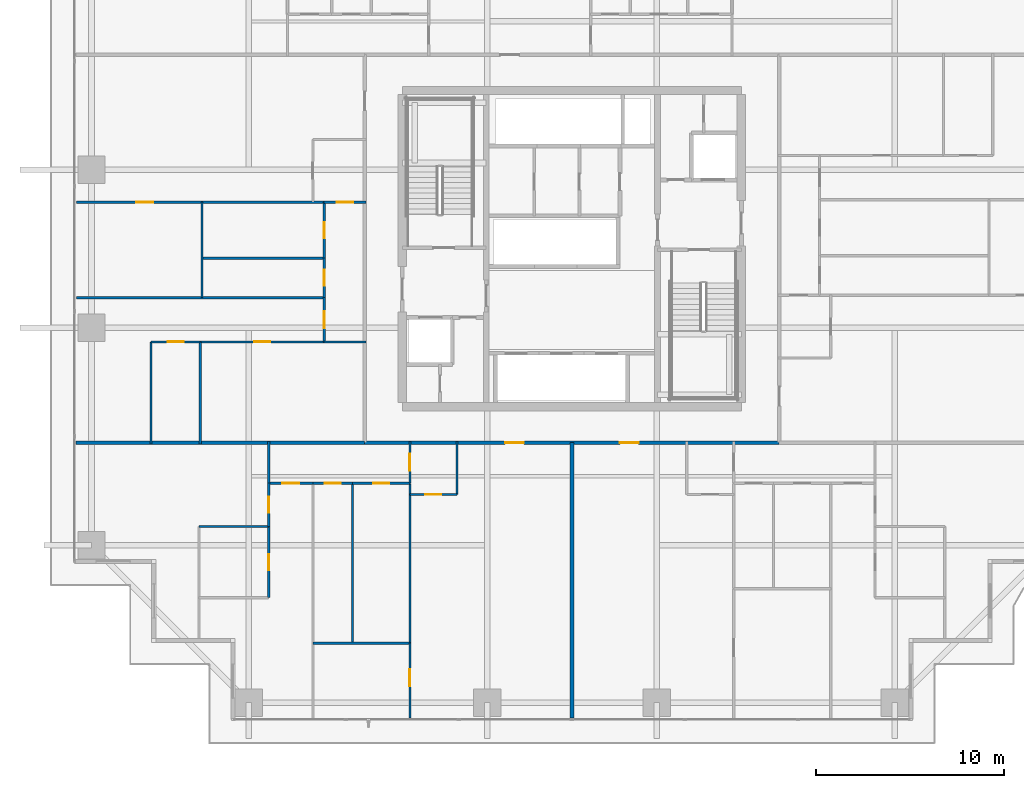
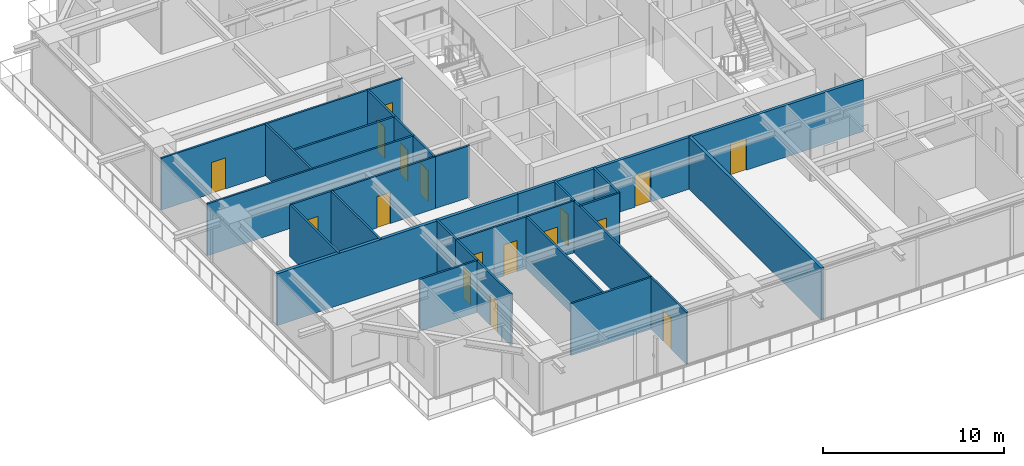
# One storey, part 27 of 39: 31 walls, 17 doors, 17 openings.
"""IFC4 building model written with IfcOpenShell, lengths in metres."""

from ifc_helpers import new_model, si_unit, direction, frame, frame_2d, origin, place, context, subcontext, project, spatial, rectangle, extrude, source, transform, mapped, material, layer, layer_set, type_object, element, fill, save


model = new_model("IFC4")

# Units and contexts
model_context = context("Model", 3, precision=1e-05, world=origin(), true_north=direction((0.0, 1.0)))
body_context = subcontext(model_context, "Body", "Model", "MODEL_VIEW")
ifc_project = project(units=[si_unit("LENGTHUNIT", "METRE"), si_unit("AREAUNIT", "SQUARE_METRE"), si_unit("VOLUMEUNIT", "CUBIC_METRE"), si_unit("PLANEANGLEUNIT", "RADIAN"), si_unit("MASSUNIT", "GRAM", prefix="KILO")], contexts=[model_context])

# Site, building, storey
site_placement = place(None, origin())
site = spatial("IfcSite", under=ifc_project, at=site_placement, CompositionType="ELEMENT")
building_placement = place(site_placement, origin())
building = spatial("IfcBuilding", under=site, at=building_placement, Name="Serunith Strait Residences", CompositionType="ELEMENT")
storey_placement = place(building_placement, frame((0.0, 0.0, 97.949951171875)))
storey = spatial("IfcBuildingStorey", under=building, at=storey_placement, Name="L24", CompositionType="ELEMENT", Elevation=97.949951171875)

# Wall, openings, doors
ifc_material_1 = material(Name="Fire-rated acoustic gypsum partition")
ifc_layer_1 = layer(ifc_material_1, 0.179931640625, Name="Fire-rated acoustic gypsum partition")
ifc_layer_set_1 = layer_set([ifc_layer_1], Name="Fire-rated acoustic gypsum partition")
wall_type_1 = type_object("IfcWallType", Name="IW-CORR-180", PredefinedType="PARTITIONING", material=ifc_layer_set_1)
wall_1_placement = place(storey_placement, frame((21.402099609375, 14.89990234375, 0.0), z_axis=(0.0, 0.0, 1.0), x_axis=(1.0, 0.0, 0.0)))
wall_1 = element("IfcWall", 1, at=wall_1_placement, inside=storey, type_object=wall_type_1, Name="L24 Partition Wall 022", PredefinedType="PARTITIONING", context=body_context, shape_type="SweptSolid", body=[
    extrude(rectangle(XDim=21.995849609375, YDim=0.179931640625, at=frame_2d((10.998046875, 0.0))), origin(), (0.0, 0.0, 1.0), 3.489990234375),
])
opening_1_placement = place(wall_1_placement, frame((7.4541015625, 0.0, 0.0)))
opening_1 = element("IfcOpeningElement", 2, at=opening_1_placement, cuts=wall_1, Name="Opening D-APT1000", PredefinedType="OPENING", context=body_context, shape_type="SweptSolid", body=[
    extrude(rectangle(XDim=1.0, YDim=2.14990234375, at=frame_2d((0.5, 1.074951171875))), frame((0.0, 0.10009765625, 0.0), z_axis=(0.0, -1.0, 0.0), x_axis=(1.0, 0.0, 0.0)), (0.0, 0.0, 1.0), 0.199951171875),
])
opening_2_placement = place(wall_1_placement, frame((13.5419921875, 0.0, 0.0)))
opening_2 = element("IfcOpeningElement", 3, at=opening_2_placement, cuts=wall_1, Name="Opening D-APT1000", PredefinedType="OPENING", context=body_context, shape_type="SweptSolid", body=[
    extrude(rectangle(XDim=1.0, YDim=2.14990234375, at=frame_2d((0.5, 1.074951171875))), frame((0.0, 0.10009765625, 0.0), z_axis=(0.0, -1.0, 0.0), x_axis=(1.0, 0.0, 0.0)), (0.0, 0.0, 1.0), 0.199951171875),
])
ifc_material_2 = material(Name="Solid timber engineered fire door", Category="wood")
door_type_1 = type_object("IfcDoorType", Name="ID-APT-1000", OperationType="NOTDEFINED", PredefinedType="DOOR", material=ifc_material_2)
shared_shape_1 = source(origin(), body_context, "Body", "SweptSolid", [
    extrude(rectangle(XDim=1.0, YDim=2.14990234375, at=frame_2d((0.5, 1.074951171875))), frame((0.0, 0.02490234375, 0.0), z_axis=(0.0, -1.0, 0.0), x_axis=(1.0, 0.0, 0.0)), (0.0, 0.0, 1.0), 0.050048828125),
])
door_1_placement = place(opening_1_placement, origin())
door_1 = element("IfcDoor", 4, at=door_1_placement, inside=storey, type_object=door_type_1, Name="L24 Unit 01 Entrance Door", OperationType="SINGLE_SWING_LEFT", OverallHeight=2.14990234375, OverallWidth=1.0, PredefinedType="DOOR", context=body_context, shape_type="MappedRepresentation", body=[
    mapped(shared_shape_1, transform((0.0, 0.0, 0.0), scale=1.0)),
])
fill(opening_1, door_1)
door_2_placement = place(opening_2_placement, origin())
door_2 = element("IfcDoor", 5, at=door_2_placement, inside=storey, type_object=door_type_1, Name="L24 Unit 02 Entrance Door", OperationType="SINGLE_SWING_RIGHT", OverallHeight=2.14990234375, OverallWidth=1.0, PredefinedType="DOOR", context=body_context, shape_type="MappedRepresentation", body=[
    mapped(shared_shape_1, transform((0.0, 0.0, 0.0), scale=1.0)),
])
fill(opening_2, door_2)

# Wall, opening, door
ifc_material_3 = material(Name="Lightweight steel-stud gypsum partition", Category="steel")
ifc_layer_2 = layer(ifc_material_3, 0.1201171875, Name="Lightweight steel-stud gypsum partition")
ifc_layer_set_2 = layer_set([ifc_layer_2], Name="Lightweight steel-stud gypsum partition")
wall_type_2 = type_object("IfcWallType", Name="IW-PART-120", PredefinedType="PARTITIONING", material=ifc_layer_set_2)
wall_2_placement = place(storey_placement, frame((23.800048828125, 12.14990234375, 0.0), z_axis=(0.0, 0.0, 1.0), x_axis=(1.0, 0.0, 0.0)))
wall_2 = element("IfcWall", 6, at=wall_2_placement, inside=storey, type_object=wall_type_2, Name="L24 Partition Wall 026", PredefinedType="PARTITIONING", context=body_context, shape_type="SweptSolid", body=[
    extrude(rectangle(XDim=2.5, YDim=0.1201171875, at=frame_2d((1.25, 0.0))), origin(), (0.0, 0.0, 1.0), 3.489990234375),
])
opening_3_placement = place(wall_2_placement, frame((0.824951171875, 0.0, 0.0)))
opening_3 = element("IfcOpeningElement", 7, at=opening_3_placement, cuts=wall_2, Name="Opening D-RM850", PredefinedType="OPENING", context=body_context, shape_type="SweptSolid", body=[
    extrude(rectangle(XDim=0.85009765625, YDim=2.10009765625, at=frame_2d((0.425048828125, 1.050048828125))), frame((0.0, 0.070068359375, 0.0), z_axis=(0.0, -1.0, 0.0), x_axis=(1.0, 0.0, 0.0)), (0.0, 0.0, 1.0), 0.14013671875),
])
ifc_material_4 = material(Name="Engineered timber flush study and kitchen door", Category="wood")
door_type_2 = type_object("IfcDoorType", Name="ID-ROOM-850", OperationType="NOTDEFINED", PredefinedType="DOOR", material=ifc_material_4)
shared_shape_2 = source(origin(), body_context, "Body", "SweptSolid", [
    extrude(rectangle(XDim=0.85009765625, YDim=2.10009765625, at=frame_2d((0.425048828125, 1.050048828125))), frame((0.0, 0.02490234375, 0.0), z_axis=(0.0, -1.0, 0.0), x_axis=(1.0, 0.0, 0.0)), (0.0, 0.0, 1.0), 0.050048828125),
])
door_3_placement = place(opening_3_placement, origin())
door_3 = element("IfcDoor", 8, at=door_3_placement, inside=storey, type_object=door_type_2, Name="L24 Kitchen 2401 Door", OperationType="SINGLE_SWING_RIGHT", OverallHeight=2.10009765625, OverallWidth=0.85009765625, PredefinedType="DOOR", context=body_context, shape_type="MappedRepresentation", body=[
    mapped(shared_shape_2, transform((0.0, 0.0, 0.0), scale=1.0)),
])
fill(opening_3, door_3)

# Wall
wall_3_placement = place(storey_placement, frame((26.300048828125, 12.14990234375, 0.0), z_axis=(0.0, 0.0, 1.0), x_axis=(0.0, 1.0, 0.0)))
element("IfcWall", 9, at=wall_3_placement, inside=storey, type_object=wall_type_2, Name="L24 Partition Wall 027", PredefinedType="PARTITIONING", context=body_context, shape_type="SweptSolid", body=[
    extrude(rectangle(XDim=2.81005859375, YDim=0.1201171875, at=frame_2d((1.405029296875, 0.0))), origin(), (0.0, 0.0, 1.0), 3.489990234375),
])

# Wall, opening, door
wall_4_placement = place(storey_placement, frame((23.800048828125, 12.75, 0.0), z_axis=(0.0, 0.0, 1.0), x_axis=(0.0, 1.0, 0.0)))
wall_4 = element("IfcWall", 10, at=wall_4_placement, inside=storey, type_object=wall_type_2, Name="L24 Partition Wall 028", PredefinedType="PARTITIONING", context=body_context, shape_type="SweptSolid", body=[
    extrude(rectangle(XDim=2.2099609375, YDim=0.1201171875, at=frame_2d((1.10498046875, 0.0))), origin(), (0.0, 0.0, 1.0), 3.489990234375),
])
opening_4_placement = place(wall_4_placement, frame((0.655029296875, 0.0, 0.0)))
opening_4 = element("IfcOpeningElement", 11, at=opening_4_placement, cuts=wall_4, Name="Opening D-RM900", PredefinedType="OPENING", context=body_context, shape_type="SweptSolid", body=[
    extrude(rectangle(XDim=0.89990234375, YDim=2.10009765625, at=frame_2d((0.449951171875, 1.050048828125))), frame((0.0, 0.070068359375, 0.0), z_axis=(0.0, -1.0, 0.0), x_axis=(1.0, 0.0, 0.0)), (0.0, 0.0, 1.0), 0.14013671875),
])
ifc_material_5 = material(Name="Engineered timber flush bedroom door", Category="wood")
door_type_3 = type_object("IfcDoorType", Name="ID-ROOM-900", OperationType="NOTDEFINED", PredefinedType="DOOR", material=ifc_material_5)
shared_shape_3 = source(origin(), body_context, "Body", "SweptSolid", [
    extrude(rectangle(XDim=0.89990234375, YDim=2.10009765625, at=frame_2d((0.449951171875, 1.050048828125))), frame((0.0, 0.02490234375, 0.0), z_axis=(0.0, -1.0, 0.0), x_axis=(1.0, 0.0, 0.0)), (0.0, 0.0, 1.0), 0.050048828125),
])
door_4_placement = place(opening_4_placement, origin())
door_4 = element("IfcDoor", 12, at=door_4_placement, inside=storey, type_object=door_type_3, Name="L24 Hall W 2401 Door", OperationType="SINGLE_SWING_LEFT", OverallHeight=2.10009765625, OverallWidth=0.89990234375, PredefinedType="DOOR", context=body_context, shape_type="MappedRepresentation", body=[
    mapped(shared_shape_3, transform((0.0, 0.0, 0.0), scale=1.0)),
])
fill(opening_4, door_4)

wall_5_placement = place(storey_placement, frame((23.800048828125, 0.294921875, 0.0), z_axis=(0.0, 0.0, 1.0), x_axis=(0.0, 1.0, 0.0)))
wall_5 = element("IfcWall", 13, at=wall_5_placement, inside=storey, type_object=wall_type_2, Name="L24 Partition Wall 029", PredefinedType="PARTITIONING", context=body_context, shape_type="SweptSolid", body=[
    extrude(rectangle(XDim=3.963134765625, YDim=0.1201171875, at=frame_2d((1.9814453125, 0.0))), origin(), (0.0, 0.0, 1.0), 3.489990234375),
])
opening_5_placement = place(wall_5_placement, frame((1.68505859375, 0.0, 0.0)))
opening_5 = element("IfcOpeningElement", 14, at=opening_5_placement, cuts=wall_5, Name="Opening D-RM900", PredefinedType="OPENING", context=body_context, shape_type="SweptSolid", body=[
    extrude(rectangle(XDim=0.89990234375, YDim=2.10009765625, at=frame_2d((0.449951171875, 1.050048828125))), frame((0.0, 0.070068359375, 0.0), z_axis=(0.0, -1.0, 0.0), x_axis=(1.0, 0.0, 0.0)), (0.0, 0.0, 1.0), 0.14013671875),
])
door_5_placement = place(opening_5_placement, origin())
door_5 = element("IfcDoor", 15, at=door_5_placement, inside=storey, type_object=door_type_3, Name="L24 Study 1 2401 Door", OperationType="SINGLE_SWING_RIGHT", OverallHeight=2.10009765625, OverallWidth=0.89990234375, PredefinedType="DOOR", context=body_context, shape_type="MappedRepresentation", body=[
    mapped(shared_shape_3, transform((0.0, 0.0, 0.0), scale=1.0)),
])
fill(opening_5, door_5)

# Walls
wall_6_placement = place(storey_placement, frame((23.800048828125, 4.260009765625, 0.0), z_axis=(0.0, 0.0, 1.0), x_axis=(0.0, 1.0, 0.0)))
element("IfcWall", 16, at=wall_6_placement, inside=storey, type_object=wall_type_2, Name="L24 Partition Wall 030", PredefinedType="PARTITIONING", context=body_context, shape_type="SweptSolid", body=[
    extrude(rectangle(XDim=8.488037109375, YDim=0.1201171875, at=frame_2d((4.244140625, 0.0))), origin(), (0.0, 0.0, 1.0), 3.489990234375),
])
wall_7_placement = place(storey_placement, frame((18.64990234375, 4.258056640625, 0.0), z_axis=(0.0, 0.0, 1.0), x_axis=(1.0, 0.0, 0.0)))
element("IfcWall", 17, at=wall_7_placement, inside=storey, type_object=wall_type_2, Name="L24 Partition Wall 031", PredefinedType="PARTITIONING", context=body_context, shape_type="SweptSolid", body=[
    extrude(rectangle(XDim=5.150146484375, YDim=0.1201171875, at=frame_2d((2.5751953125, 0.0))), origin(), (0.0, 0.0, 1.0), 3.489990234375),
])
wall_8_placement = place(storey_placement, frame((20.75, 4.258056640625, 0.0), z_axis=(0.0, 0.0, 1.0), x_axis=(0.0, 1.0, 0.0)))
element("IfcWall", 18, at=wall_8_placement, inside=storey, type_object=wall_type_2, Name="L24 Partition Wall 033", PredefinedType="PARTITIONING", context=body_context, shape_type="SweptSolid", body=[
    extrude(rectangle(XDim=8.491943359375, YDim=0.1201171875, at=frame_2d((4.24609375, 0.0))), origin(), (0.0, 0.0, 1.0), 3.489990234375),
])

# Wall, opening, door
wall_9_placement = place(storey_placement, frame((18.64990234375, 12.75, 0.0), z_axis=(0.0, 0.0, 1.0), x_axis=(1.0, 0.0, 0.0)))
wall_9 = element("IfcWall", 19, at=wall_9_placement, inside=storey, type_object=wall_type_2, Name="L24 Partition Wall 034", PredefinedType="PARTITIONING", context=body_context, shape_type="SweptSolid", body=[
    extrude(rectangle(XDim=2.10009765625, YDim=0.1201171875, at=frame_2d((1.050048828125, 0.0))), origin(), (0.0, 0.0, 1.0), 3.489990234375),
])
opening_6_placement = place(wall_9_placement, frame((0.625, 0.0, 0.0)))
opening_6 = element("IfcOpeningElement", 20, at=opening_6_placement, cuts=wall_9, Name="Opening D-BTH850", PredefinedType="OPENING", context=body_context, shape_type="SweptSolid", body=[
    extrude(rectangle(XDim=0.85009765625, YDim=2.10009765625, at=frame_2d((0.425048828125, 1.050048828125))), frame((0.0, 0.070068359375, 0.0), z_axis=(0.0, -1.0, 0.0), x_axis=(1.0, 0.0, 0.0)), (0.0, 0.0, 1.0), 0.14013671875),
])
ifc_material_6 = material(Name="Moisture-resistant timber bathroom door", Category="wood")
door_type_4 = type_object("IfcDoorType", Name="ID-BATH-850", OperationType="NOTDEFINED", PredefinedType="DOOR", material=ifc_material_6)
door_6_placement = place(opening_6_placement, origin())
door_6 = element("IfcDoor", 21, at=door_6_placement, inside=storey, type_object=door_type_4, Name="L24 Bathroom 2401 Door", OperationType="SINGLE_SWING_LEFT", OverallHeight=2.10009765625, OverallWidth=0.85009765625, PredefinedType="DOOR", context=body_context, shape_type="MappedRepresentation", body=[
    mapped(shared_shape_2, transform((0.0, 0.0, 0.0), scale=1.0)),
])
fill(opening_6, door_6)

wall_10_placement = place(storey_placement, frame((20.751953125, 12.75, 0.0), z_axis=(0.0, 0.0, 1.0), x_axis=(1.0, 0.0, 0.0)))
wall_10 = element("IfcWall", 22, at=wall_10_placement, inside=storey, type_object=wall_type_2, Name="L24 Partition Wall 035", PredefinedType="PARTITIONING", context=body_context, shape_type="SweptSolid", body=[
    extrude(rectangle(XDim=3.048095703125, YDim=0.1201171875, at=frame_2d((1.52392578125, 0.0))), origin(), (0.0, 0.0, 1.0), 3.489990234375),
])
opening_7_placement = place(wall_10_placement, frame((1.09912109375, 0.0, 0.0)))
opening_7 = element("IfcOpeningElement", 23, at=opening_7_placement, cuts=wall_10, Name="Opening D-RM850", PredefinedType="OPENING", context=body_context, shape_type="SweptSolid", body=[
    extrude(rectangle(XDim=0.85009765625, YDim=2.10009765625, at=frame_2d((0.425048828125, 1.050048828125))), frame((0.0, 0.070068359375, 0.0), z_axis=(0.0, -1.0, 0.0), x_axis=(1.0, 0.0, 0.0)), (0.0, 0.0, 1.0), 0.14013671875),
])
door_7_placement = place(opening_7_placement, origin())
door_7 = element("IfcDoor", 24, at=door_7_placement, inside=storey, type_object=door_type_2, Name="L24 Study 2401 Door", OperationType="SINGLE_SWING_RIGHT", OverallHeight=2.10009765625, OverallWidth=0.85009765625, PredefinedType="DOOR", context=body_context, shape_type="MappedRepresentation", body=[
    mapped(shared_shape_2, transform((0.0, 0.0, 0.0), scale=1.0)),
])
fill(opening_7, door_7)

wall_11_placement = place(storey_placement, frame((16.300048828125, 12.75, 0.0), z_axis=(0.0, 0.0, 1.0), x_axis=(1.0, 0.0, 0.0)))
wall_11 = element("IfcWall", 25, at=wall_11_placement, inside=storey, type_object=wall_type_2, Name="L24 Partition Wall 036", PredefinedType="PARTITIONING", context=body_context, shape_type="SweptSolid", body=[
    extrude(rectangle(XDim=2.347900390625, YDim=0.1201171875, at=frame_2d((1.173828125, 0.0))), origin(), (0.0, 0.0, 1.0), 3.489990234375),
])
opening_8_placement = place(wall_11_placement, frame((0.72412109375, 0.0, 0.0)))
opening_8 = element("IfcOpeningElement", 26, at=opening_8_placement, cuts=wall_11, Name="Opening D-RM900", PredefinedType="OPENING", context=body_context, shape_type="SweptSolid", body=[
    extrude(rectangle(XDim=0.89990234375, YDim=2.10009765625, at=frame_2d((0.449951171875, 1.050048828125))), frame((0.0, 0.070068359375, 0.0), z_axis=(0.0, -1.0, 0.0), x_axis=(1.0, 0.0, 0.0)), (0.0, 0.0, 1.0), 0.14013671875),
])
door_8_placement = place(opening_8_placement, origin())
door_8 = element("IfcDoor", 27, at=door_8_placement, inside=storey, type_object=door_type_3, Name="L24 Master Bedroom W 2401 Door", OperationType="SINGLE_SWING_LEFT", OverallHeight=2.10009765625, OverallWidth=0.89990234375, PredefinedType="DOOR", context=body_context, shape_type="MappedRepresentation", body=[
    mapped(shared_shape_3, transform((0.0, 0.0, 0.0), scale=1.0)),
])
fill(opening_8, door_8)

# Wall
wall_12_placement = place(storey_placement, frame((12.60009765625, 10.4560546875, 0.0), z_axis=(0.0, 0.0, 1.0), x_axis=(1.0, 0.0, 0.0)))
element("IfcWall", 28, at=wall_12_placement, inside=storey, type_object=wall_type_2, Name="L24 Partition Wall 039", PredefinedType="PARTITIONING", context=body_context, shape_type="SweptSolid", body=[
    extrude(rectangle(XDim=3.699951171875, YDim=0.1201171875, at=frame_2d((1.85009765625, 0.0))), origin(), (0.0, 0.0, 1.0), 3.489990234375),
])

# Wall, opening, door
wall_13_placement = place(storey_placement, frame((16.300048828125, 6.672119140625, 0.0), z_axis=(0.0, 0.0, 1.0), x_axis=(0.0, 1.0, 0.0)))
wall_13 = element("IfcWall", 29, at=wall_13_placement, inside=storey, type_object=wall_type_2, Name="L24 Partition Wall 040", PredefinedType="PARTITIONING", context=body_context, shape_type="SweptSolid", body=[
    extrude(rectangle(XDim=3.783935546875, YDim=0.1201171875, at=frame_2d((1.89208984375, 0.0))), origin(), (0.0, 0.0, 1.0), 3.489990234375),
])
opening_9_placement = place(wall_13_placement, frame((1.467041015625, 0.0, 0.0)))
opening_9 = element("IfcOpeningElement", 30, at=opening_9_placement, cuts=wall_13, Name="Opening D-BTH850", PredefinedType="OPENING", context=body_context, shape_type="SweptSolid", body=[
    extrude(rectangle(XDim=0.85009765625, YDim=2.10009765625, at=frame_2d((0.425048828125, 1.050048828125))), frame((0.0, 0.070068359375, 0.0), z_axis=(0.0, -1.0, 0.0), x_axis=(1.0, 0.0, 0.0)), (0.0, 0.0, 1.0), 0.14013671875),
])
door_9_placement = place(opening_9_placement, origin())
door_9 = element("IfcDoor", 31, at=door_9_placement, inside=storey, type_object=door_type_4, Name="L24 En-suite Bathroom W 2401 Door", OperationType="SINGLE_SWING_RIGHT", OverallHeight=2.10009765625, OverallWidth=0.85009765625, PredefinedType="DOOR", context=body_context, shape_type="MappedRepresentation", body=[
    mapped(shared_shape_2, transform((0.0, 0.0, 0.0), scale=1.0)),
])
fill(opening_9, door_9)

wall_14_placement = place(storey_placement, frame((16.300048828125, 10.4580078125, 0.0), z_axis=(0.0, 0.0, 1.0), x_axis=(0.0, 1.0, 0.0)))
wall_14 = element("IfcWall", 32, at=wall_14_placement, inside=storey, type_object=wall_type_2, Name="L24 Partition Wall 041", PredefinedType="PARTITIONING", context=body_context, shape_type="SweptSolid", body=[
    extrude(rectangle(XDim=2.2919921875, YDim=0.1201171875, at=frame_2d((1.14599609375, 0.0))), origin(), (0.0, 0.0, 1.0), 3.489990234375),
])
opening_10_placement = place(wall_14_placement, frame((0.720947265625, 0.0, 0.0)))
opening_10 = element("IfcOpeningElement", 33, at=opening_10_placement, cuts=wall_14, Name="Opening D-RM850", PredefinedType="OPENING", context=body_context, shape_type="SweptSolid", body=[
    extrude(rectangle(XDim=0.85009765625, YDim=2.10009765625, at=frame_2d((0.425048828125, 1.050048828125))), frame((0.0, 0.070068359375, 0.0), z_axis=(0.0, -1.0, 0.0), x_axis=(1.0, 0.0, 0.0)), (0.0, 0.0, 1.0), 0.14013671875),
])
door_10_placement = place(opening_10_placement, origin())
door_10 = element("IfcDoor", 34, at=door_10_placement, inside=storey, type_object=door_type_2, Name="L24 Wardrobe W 2401 Door", OperationType="SINGLE_SWING_LEFT", OverallHeight=2.10009765625, OverallWidth=0.85009765625, PredefinedType="DOOR", context=body_context, shape_type="MappedRepresentation", body=[
    mapped(shared_shape_2, transform((0.0, 0.0, 0.0), scale=1.0)),
])
fill(opening_10, door_10)

# Wall
wall_15_placement = place(storey_placement, frame((16.300048828125, 12.751953125, 0.0), z_axis=(0.0, 0.0, 1.0), x_axis=(0.0, 1.0, 0.0)))
element("IfcWall", 35, at=wall_15_placement, inside=storey, type_object=wall_type_2, Name="L24 Partition Wall 042", PredefinedType="PARTITIONING", context=body_context, shape_type="SweptSolid", body=[
    extrude(rectangle(XDim=2.2080078125, YDim=0.1201171875, at=frame_2d((1.10400390625, 0.0))), origin(), (0.0, 0.0, 1.0), 3.489990234375),
])

# Wall, opening, door
wall_16_placement = place(storey_placement, frame((19.25, 27.669921875, 0.0), z_axis=(0.0, 0.0, 1.0), x_axis=(1.0, 0.0, 0.0)))
wall_16 = element("IfcWall", 36, at=wall_16_placement, inside=storey, type_object=wall_type_2, Name="L24 Partition Wall 092", PredefinedType="PARTITIONING", context=body_context, shape_type="SweptSolid", body=[
    extrude(rectangle(XDim=2.2099609375, YDim=0.1201171875, at=frame_2d((1.10498046875, 0.0))), origin(), (0.0, 0.0, 1.0), 3.489990234375),
])
opening_11_placement = place(wall_16_placement, frame((0.655029296875, 0.0, 0.0)))
opening_11 = element("IfcOpeningElement", 37, at=opening_11_placement, cuts=wall_16, Name="Opening D-RM900", PredefinedType="OPENING", context=body_context, shape_type="SweptSolid", body=[
    extrude(rectangle(XDim=0.89990234375, YDim=2.10009765625, at=frame_2d((0.449951171875, 1.050048828125))), frame((0.0, 0.070068359375, 0.0), z_axis=(0.0, -1.0, 0.0), x_axis=(1.0, 0.0, 0.0)), (0.0, 0.0, 1.0), 0.14013671875),
])
door_11_placement = place(opening_11_placement, origin())
door_11 = element("IfcDoor", 38, at=door_11_placement, inside=storey, type_object=door_type_3, Name="L24 Hall W 2404 Door", OperationType="SINGLE_SWING_LEFT", OverallHeight=2.10009765625, OverallWidth=0.89990234375, PredefinedType="DOOR", context=body_context, shape_type="MappedRepresentation", body=[
    mapped(shared_shape_3, transform((0.0, 0.0, 0.0), scale=1.0)),
])
fill(opening_11, door_11)

wall_17_placement = place(storey_placement, frame((6.094970703125, 27.669921875, 0.0), z_axis=(0.0, 0.0, 1.0), x_axis=(1.0, 0.0, 0.0)))
wall_17 = element("IfcWall", 39, at=wall_17_placement, inside=storey, type_object=wall_type_2, Name="L24 Partition Wall 093", PredefinedType="PARTITIONING", context=body_context, shape_type="SweptSolid", body=[
    extrude(rectangle(XDim=6.669921875, YDim=0.1201171875, at=frame_2d((3.3349609375, 0.0))), origin(), (0.0, 0.0, 1.0), 3.489990234375),
])
opening_12_placement = place(wall_17_placement, frame((3.174072265625, 0.0, 0.0)))
opening_12 = element("IfcOpeningElement", 40, at=opening_12_placement, cuts=wall_17, Name="Opening D-RM900", PredefinedType="OPENING", context=body_context, shape_type="SweptSolid", body=[
    extrude(rectangle(XDim=0.89990234375, YDim=2.10009765625, at=frame_2d((0.449951171875, 1.050048828125))), frame((0.0, 0.070068359375, 0.0), z_axis=(0.0, -1.0, 0.0), x_axis=(1.0, 0.0, 0.0)), (0.0, 0.0, 1.0), 0.14013671875),
])
door_12_placement = place(opening_12_placement, origin())
door_12 = element("IfcDoor", 41, at=door_12_placement, inside=storey, type_object=door_type_3, Name="L24 Formal Dining Room 1 2404 Door", OperationType="SINGLE_SWING_RIGHT", OverallHeight=2.10009765625, OverallWidth=0.89990234375, PredefinedType="DOOR", context=body_context, shape_type="MappedRepresentation", body=[
    mapped(shared_shape_3, transform((0.0, 0.0, 0.0), scale=1.0)),
])
fill(opening_12, door_12)

# Walls
wall_18_placement = place(storey_placement, frame((12.76708984375, 27.669921875, 0.0), z_axis=(0.0, 0.0, 1.0), x_axis=(1.0, 0.0, 0.0)))
element("IfcWall", 42, at=wall_18_placement, inside=storey, type_object=wall_type_2, Name="L24 Partition Wall 094", PredefinedType="PARTITIONING", context=body_context, shape_type="SweptSolid", body=[
    extrude(rectangle(XDim=6.48095703125, YDim=0.1201171875, at=frame_2d((3.240478515625, 0.0))), origin(), (0.0, 0.0, 1.0), 3.489990234375),
])
wall_19_placement = place(storey_placement, frame((12.764892578125, 22.60009765625, 0.0), z_axis=(0.0, 0.0, 1.0), x_axis=(0.0, 1.0, 0.0)))
element("IfcWall", 43, at=wall_19_placement, inside=storey, type_object=wall_type_2, Name="L24 Partition Wall 095", PredefinedType="PARTITIONING", context=body_context, shape_type="SweptSolid", body=[
    extrude(rectangle(XDim=5.06982421875, YDim=0.1201171875, at=frame_2d((2.534912109375, 0.0))), origin(), (0.0, 0.0, 1.0), 3.489990234375),
])
wall_20_placement = place(storey_placement, frame((6.094970703125, 22.60009765625, 0.0), z_axis=(0.0, 0.0, 1.0), x_axis=(1.0, 0.0, 0.0)))
element("IfcWall", 44, at=wall_20_placement, inside=storey, type_object=wall_type_2, Name="L24 Partition Wall 096", PredefinedType="PARTITIONING", context=body_context, shape_type="SweptSolid", body=[
    extrude(rectangle(XDim=13.155029296875, YDim=0.1201171875, at=frame_2d((6.57763671875, 0.0))), origin(), (0.0, 0.0, 1.0), 3.489990234375),
])
wall_21_placement = place(storey_placement, frame((12.764892578125, 24.699951171875, 0.0), z_axis=(0.0, 0.0, 1.0), x_axis=(1.0, 0.0, 0.0)))
element("IfcWall", 45, at=wall_21_placement, inside=storey, type_object=wall_type_2, Name="L24 Partition Wall 097", PredefinedType="PARTITIONING", context=body_context, shape_type="SweptSolid", body=[
    extrude(rectangle(XDim=6.485107421875, YDim=0.1201171875, at=frame_2d((3.24267578125, 0.0))), origin(), (0.0, 0.0, 1.0), 3.489990234375),
])

# Wall, opening, door
wall_22_placement = place(storey_placement, frame((19.25, 22.60009765625, 0.0), z_axis=(0.0, 0.0, 1.0), x_axis=(0.0, 1.0, 0.0)))
wall_22 = element("IfcWall", 46, at=wall_22_placement, inside=storey, type_object=wall_type_2, Name="L24 Partition Wall 098", PredefinedType="PARTITIONING", context=body_context, shape_type="SweptSolid", body=[
    extrude(rectangle(XDim=2.099853515625, YDim=0.1201171875, at=frame_2d((1.0498046875, 0.0))), origin(), (0.0, 0.0, 1.0), 3.489990234375),
])
opening_13_placement = place(wall_22_placement, frame((0.625, 0.0, 0.0)))
opening_13 = element("IfcOpeningElement", 47, at=opening_13_placement, cuts=wall_22, Name="Opening D-BTH850", PredefinedType="OPENING", context=body_context, shape_type="SweptSolid", body=[
    extrude(rectangle(XDim=0.85009765625, YDim=2.10009765625, at=frame_2d((0.425048828125, 1.050048828125))), frame((0.0, 0.070068359375, 0.0), z_axis=(0.0, -1.0, 0.0), x_axis=(1.0, 0.0, 0.0)), (0.0, 0.0, 1.0), 0.14013671875),
])
door_13_placement = place(opening_13_placement, origin())
door_13 = element("IfcDoor", 48, at=door_13_placement, inside=storey, type_object=door_type_4, Name="L24 Bathroom 2404 Door", OperationType="SINGLE_SWING_LEFT", OverallHeight=2.10009765625, OverallWidth=0.85009765625, PredefinedType="DOOR", context=body_context, shape_type="MappedRepresentation", body=[
    mapped(shared_shape_2, transform((0.0, 0.0, 0.0), scale=1.0)),
])
fill(opening_13, door_13)

wall_23_placement = place(storey_placement, frame((19.25, 24.701904296875, 0.0), z_axis=(0.0, 0.0, 1.0), x_axis=(0.0, 1.0, 0.0)))
wall_23 = element("IfcWall", 49, at=wall_23_placement, inside=storey, type_object=wall_type_2, Name="L24 Partition Wall 099", PredefinedType="PARTITIONING", context=body_context, shape_type="SweptSolid", body=[
    extrude(rectangle(XDim=2.968017578125, YDim=0.1201171875, at=frame_2d((1.48388671875, 0.0))), origin(), (0.0, 0.0, 1.0), 3.489990234375),
])
opening_14_placement = place(wall_23_placement, frame((1.05908203125, 0.0, 0.0)))
opening_14 = element("IfcOpeningElement", 50, at=opening_14_placement, cuts=wall_23, Name="Opening D-RM850", PredefinedType="OPENING", context=body_context, shape_type="SweptSolid", body=[
    extrude(rectangle(XDim=0.85009765625, YDim=2.10009765625, at=frame_2d((0.425048828125, 1.050048828125))), frame((0.0, 0.070068359375, 0.0), z_axis=(0.0, -1.0, 0.0), x_axis=(1.0, 0.0, 0.0)), (0.0, 0.0, 1.0), 0.14013671875),
])
door_14_placement = place(opening_14_placement, origin())
door_14 = element("IfcDoor", 51, at=door_14_placement, inside=storey, type_object=door_type_2, Name="L24 Formal Dining Room 2404 Door", OperationType="SINGLE_SWING_RIGHT", OverallHeight=2.10009765625, OverallWidth=0.85009765625, PredefinedType="DOOR", context=body_context, shape_type="MappedRepresentation", body=[
    mapped(shared_shape_2, transform((0.0, 0.0, 0.0), scale=1.0)),
])
fill(opening_14, door_14)

wall_24_placement = place(storey_placement, frame((19.25, 20.25, 0.0), z_axis=(0.0, 0.0, 1.0), x_axis=(0.0, 1.0, 0.0)))
wall_24 = element("IfcWall", 52, at=wall_24_placement, inside=storey, type_object=wall_type_2, Name="L24 Partition Wall 100", PredefinedType="PARTITIONING", context=body_context, shape_type="SweptSolid", body=[
    extrude(rectangle(XDim=2.347900390625, YDim=0.1201171875, at=frame_2d((1.173828125, 0.0))), origin(), (0.0, 0.0, 1.0), 3.489990234375),
])
opening_15_placement = place(wall_24_placement, frame((0.72412109375, 0.0, 0.0)))
opening_15 = element("IfcOpeningElement", 53, at=opening_15_placement, cuts=wall_24, Name="Opening D-RM900", PredefinedType="OPENING", context=body_context, shape_type="SweptSolid", body=[
    extrude(rectangle(XDim=0.89990234375, YDim=2.10009765625, at=frame_2d((0.449951171875, 1.050048828125))), frame((0.0, 0.070068359375, 0.0), z_axis=(0.0, -1.0, 0.0), x_axis=(1.0, 0.0, 0.0)), (0.0, 0.0, 1.0), 0.14013671875),
])
door_15_placement = place(opening_15_placement, origin())
door_15 = element("IfcDoor", 54, at=door_15_placement, inside=storey, type_object=door_type_3, Name="L24 Master Bedroom W 2404 Door", OperationType="SINGLE_SWING_LEFT", OverallHeight=2.10009765625, OverallWidth=0.89990234375, PredefinedType="DOOR", context=body_context, shape_type="MappedRepresentation", body=[
    mapped(shared_shape_3, transform((0.0, 0.0, 0.0), scale=1.0)),
])
fill(opening_15, door_15)

# Walls
for number, where, z_axis, x_axis, name in (
    (55, (10.050048828125, 14.840087890625, 0.0), (0.0, 0.0, 1.0), (0.0, 1.0, 0.0), "L24 Partition Wall 101"),
    (56, (12.6669921875, 14.840087890625, 0.0), (0.0, 0.0, 1.0), (0.0, 1.0, 0.0), "L24 Partition Wall 102"),
):
    element("IfcWall", number, at=place(storey_placement, frame(where, z_axis=z_axis, x_axis=x_axis)), inside=storey, type_object=wall_type_2, Name=name, PredefinedType="PARTITIONING", context=body_context, shape_type="SweptSolid", body=[
        extrude(rectangle(XDim=5.409912109375, YDim=0.1201171875, at=frame_2d((2.705078125, 0.0))), origin(), (0.0, 0.0, 1.0), 3.489990234375),
    ])

# Wall, opening, door
wall_25_placement = place(storey_placement, frame((10.050048828125, 20.25, 0.0), z_axis=(0.0, 0.0, 1.0), x_axis=(1.0, 0.0, 0.0)))
wall_25 = element("IfcWall", 57, at=wall_25_placement, inside=storey, type_object=wall_type_2, Name="L24 Partition Wall 103", PredefinedType="PARTITIONING", context=body_context, shape_type="SweptSolid", body=[
    extrude(rectangle(XDim=2.616943359375, YDim=0.1201171875, at=frame_2d((1.30859375, 0.0))), origin(), (0.0, 0.0, 1.0), 3.489990234375),
])
opening_16_placement = place(wall_25_placement, frame((0.883056640625, 0.0, 0.0)))
opening_16 = element("IfcOpeningElement", 58, at=opening_16_placement, cuts=wall_25, Name="Opening D-BTH850", PredefinedType="OPENING", context=body_context, shape_type="SweptSolid", body=[
    extrude(rectangle(XDim=0.85009765625, YDim=2.10009765625, at=frame_2d((0.425048828125, 1.050048828125))), frame((0.0, 0.070068359375, 0.0), z_axis=(0.0, -1.0, 0.0), x_axis=(1.0, 0.0, 0.0)), (0.0, 0.0, 1.0), 0.14013671875),
])
door_16_placement = place(opening_16_placement, origin())
door_16 = element("IfcDoor", 59, at=door_16_placement, inside=storey, type_object=door_type_4, Name="L24 En-suite Bathroom W 2404 Door", OperationType="SINGLE_SWING_RIGHT", OverallHeight=2.10009765625, OverallWidth=0.85009765625, PredefinedType="DOOR", context=body_context, shape_type="MappedRepresentation", body=[
    mapped(shared_shape_2, transform((0.0, 0.0, 0.0), scale=1.0)),
])
fill(opening_16, door_16)

wall_26_placement = place(storey_placement, frame((12.6689453125, 20.25, 0.0), z_axis=(0.0, 0.0, 1.0), x_axis=(1.0, 0.0, 0.0)))
wall_26 = element("IfcWall", 60, at=wall_26_placement, inside=storey, type_object=wall_type_2, Name="L24 Partition Wall 104", PredefinedType="PARTITIONING", context=body_context, shape_type="SweptSolid", body=[
    extrude(rectangle(XDim=6.5810546875, YDim=0.1201171875, at=frame_2d((3.29052734375, 0.0))), origin(), (0.0, 0.0, 1.0), 3.489990234375),
])
opening_17_placement = place(wall_26_placement, frame((2.864990234375, 0.0, 0.0)))
opening_17 = element("IfcOpeningElement", 61, at=opening_17_placement, cuts=wall_26, Name="Opening D-RM850", PredefinedType="OPENING", context=body_context, shape_type="SweptSolid", body=[
    extrude(rectangle(XDim=0.85009765625, YDim=2.10009765625, at=frame_2d((0.425048828125, 1.050048828125))), frame((0.0, 0.070068359375, 0.0), z_axis=(0.0, -1.0, 0.0), x_axis=(1.0, 0.0, 0.0)), (0.0, 0.0, 1.0), 0.14013671875),
])
door_17_placement = place(opening_17_placement, origin())
door_17 = element("IfcDoor", 62, at=door_17_placement, inside=storey, type_object=door_type_2, Name="L24 Wardrobe W 2404 Door", OperationType="SINGLE_SWING_LEFT", OverallHeight=2.10009765625, OverallWidth=0.85009765625, PredefinedType="DOOR", context=body_context, shape_type="MappedRepresentation", body=[
    mapped(shared_shape_2, transform((0.0, 0.0, 0.0), scale=1.0)),
])
fill(opening_17, door_17)

# Walls
wall_27_placement = place(storey_placement, frame((19.251953125, 20.25, 0.0), z_axis=(0.0, 0.0, 1.0), x_axis=(1.0, 0.0, 0.0)))
element("IfcWall", 63, at=wall_27_placement, inside=storey, type_object=wall_type_2, Name="L24 Partition Wall 105", PredefinedType="PARTITIONING", context=body_context, shape_type="SweptSolid", body=[
    extrude(rectangle(XDim=2.2080078125, YDim=0.1201171875, at=frame_2d((1.10400390625, 0.0))), origin(), (0.0, 0.0, 1.0), 3.489990234375),
])
ifc_material_7 = material(Name="Twin-stud acoustic gypsum board partition")
ifc_layer_3 = layer(ifc_material_7, 0.199951171875, Name="Twin-stud acoustic gypsum board partition")
ifc_layer_set_3 = layer_set([ifc_layer_3], Name="Twin-stud acoustic gypsum board partition")
wall_type_3 = type_object("IfcWallType", Name="IW-PARTY-200", PredefinedType="PARTITIONING", material=ifc_layer_set_3)
wall_28_placement = place(storey_placement, frame((32.39990234375, 0.281982421875, 0.0), z_axis=(0.0, 0.0, 1.0), x_axis=(0.0, 1.0, 0.0)))
element("IfcWall", 64, at=wall_28_placement, inside=storey, type_object=wall_type_3, Name="L24 Partition Wall 017", PredefinedType="PARTITIONING", context=body_context, shape_type="SweptSolid", body=[
    extrude(rectangle(XDim=14.617919921875, YDim=0.199951171875, at=frame_2d((7.30908203125, 0.0))), origin(), (0.0, 0.0, 1.0), 3.489990234375),
])
wall_29_placement = place(storey_placement, frame((6.08203125, 14.89990234375, 0.0), z_axis=(0.0, 0.0, 1.0), x_axis=(1.0, 0.0, 0.0)))
element("IfcWall", 65, at=wall_29_placement, inside=storey, type_object=wall_type_3, Name="L24 Partition Wall 018", PredefinedType="PARTITIONING", context=body_context, shape_type="SweptSolid", body=[
    extrude(rectangle(XDim=15.31787109375, YDim=0.199951171875, at=frame_2d((7.658935546875, 0.0))), origin(), (0.0, 0.0, 1.0), 3.489990234375),
])

save(model, "model.ifc")
